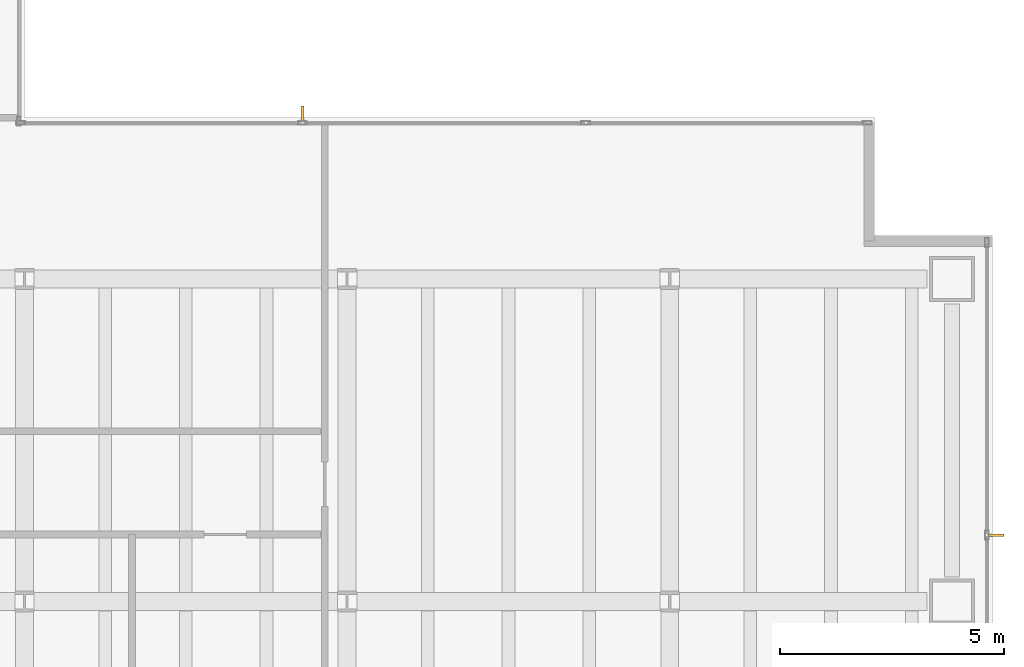
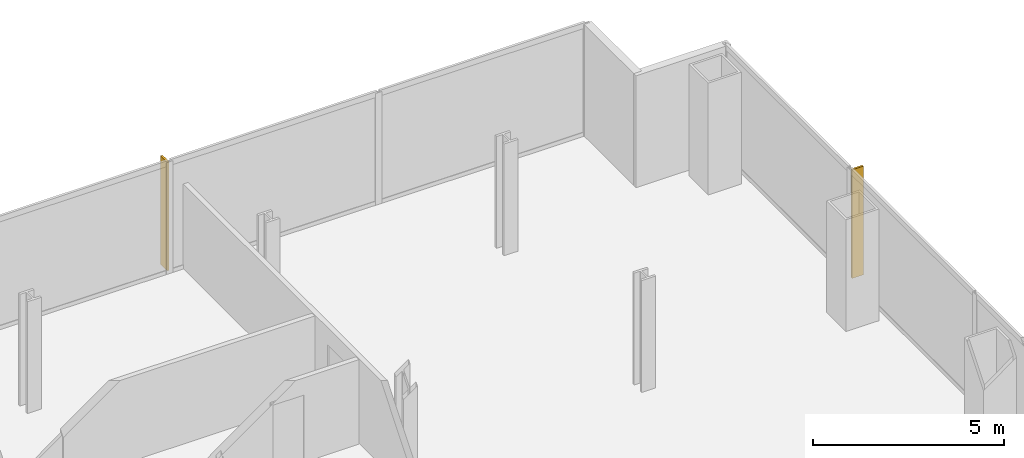
# One storey, part 24 of 25: 2 shading devices.
"""IFC4 building model written with IfcOpenShell, lengths in metres."""

from ifc_helpers import new_model, si_unit, direction, frame, origin, place, context, subcontext, project, spatial, polyline, outline, extrude, material, layer, layer_set, type_object, element, save


model = new_model("IFC4")

# Units and contexts
model_context = context("Model", 3, precision=1e-05, world=origin(), true_north=direction((0.0, 1.0)))
body_context = subcontext(model_context, "Body", "Model", "MODEL_VIEW")
ifc_project = project(units=[si_unit("LENGTHUNIT", "METRE"), si_unit("AREAUNIT", "SQUARE_METRE"), si_unit("VOLUMEUNIT", "CUBIC_METRE"), si_unit("PLANEANGLEUNIT", "RADIAN"), si_unit("MASSUNIT", "GRAM", prefix="KILO")], contexts=[model_context])

# Site, building, storey
site_placement = place(None, origin())
site = spatial("IfcSite", under=ifc_project, at=site_placement, CompositionType="ELEMENT")
building_placement = place(site_placement, origin())
building = spatial("IfcBuilding", under=site, at=building_placement, Name="Cobrela Telecom Tower", CompositionType="ELEMENT")
storey_placement = place(building_placement, frame((0.0, 0.0, 46.550048828125)))
storey = spatial("IfcBuildingStorey", under=building, at=storey_placement, Name="L11", CompositionType="ELEMENT", Elevation=46.550048828125)

# Shading devices
ifc_material = material(Name="Anodized Bronze Aluminium 6063-T6", Category="aluminium")
ifc_layer = layer(ifc_material, 0.06005859375)
ifc_layer_set = layer_set([ifc_layer], Name="Anodized Bronze Aluminium 6063-T6")
shading_device_type = type_object("IfcShadingDeviceType", Name="SHD-FIN-BRZ", PredefinedType="USERDEFINED", material=ifc_layer_set)
shading_device_1_placement = place(storey_placement, frame((0.0, 0.0, 0.050048828125)))
element("IfcShadingDevice", 1, at=shading_device_1_placement, inside=storey, type_object=shading_device_type, Name="L11 Anodized Bronze Solar Fin 18", ObjectType="SUNSHADE", PredefinedType="USERDEFINED", context=body_context, shape_type="SweptSolid", body=[
    extrude(outline(polyline([(34.973388671875, 25.1201171875), (35.033203125, 25.1201171875), (35.033203125, 25.4599609375), (34.973388671875, 25.4599609375), (34.973388671875, 25.1201171875)])), origin(), (0.0, 0.0, 1.0), 3.469970703125),
])
shading_device_2_placement = place(storey_placement, frame((0.0, 0.0, 0.050048828125)))
element("IfcShadingDevice", 2, at=shading_device_2_placement, inside=storey, type_object=shading_device_type, Name="L11 Anodized Bronze Solar Fin 19", ObjectType="SUNSHADE", PredefinedType="USERDEFINED", context=body_context, shape_type="SweptSolid", body=[
    extrude(outline(polyline([(50.320068359375, 15.913330078125), (50.320068359375, 15.853271484375), (50.659912109375, 15.853271484375), (50.659912109375, 15.913330078125), (50.320068359375, 15.913330078125)])), origin(), (0.0, 0.0, 1.0), 3.469970703125),
])

save(model, "model.ifc")
